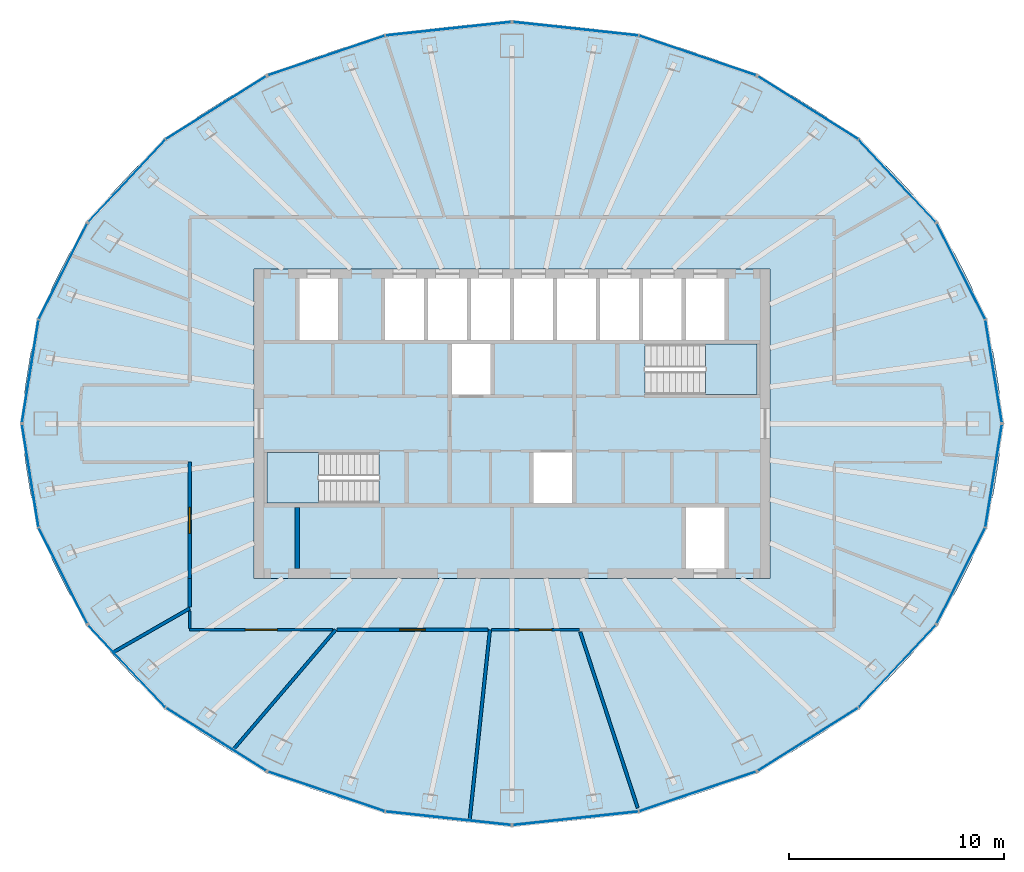
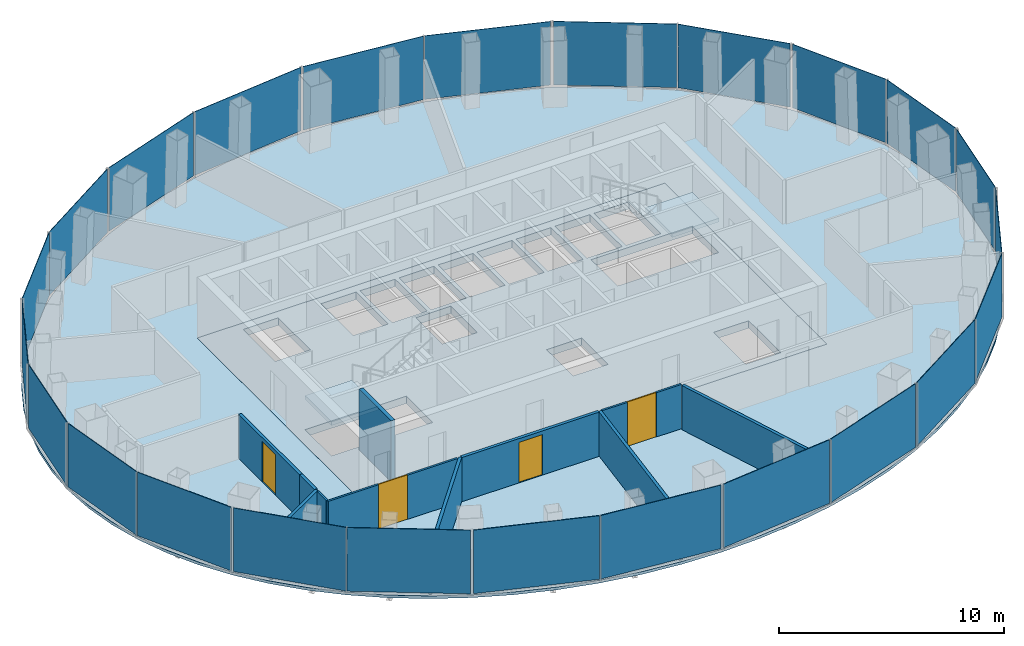
# One storey, part 7 of 11: 24 plates, 11 walls, 4 doors, 4 slabs, 4 openings, 14 elements without a shape of their own.
"""IFC4 building model written with IfcOpenShell, lengths in metres."""

from ifc_helpers import new_model, si_unit, direction, frame, frame_2d, origin, origin_2d, place, context, subcontext, project, spatial, polyline, rectangle, outline, extrude, material, layer, layer_set, type_object, element, fill, aggregate, save


model = new_model("IFC4")

# Units and contexts
model_context = context("Model", 3, precision=1e-05, world=origin(), true_north=direction((0.0, 1.0)))
body_context = subcontext(model_context, "Body", "Model", "MODEL_VIEW")
ifc_project = project(units=[si_unit("LENGTHUNIT", "METRE"), si_unit("AREAUNIT", "SQUARE_METRE"), si_unit("VOLUMEUNIT", "CUBIC_METRE"), si_unit("PLANEANGLEUNIT", "RADIAN"), si_unit("MASSUNIT", "GRAM", prefix="KILO")], contexts=[model_context])

# Site, building, storey
site_placement = place(None, origin())
site = spatial("IfcSite", under=ifc_project, at=site_placement, CompositionType="ELEMENT")
building_placement = place(site_placement, origin())
building = spatial("IfcBuilding", under=site, at=building_placement, Name="Siaravel Broadcast Tower", CompositionType="ELEMENT")
storey_placement = place(building_placement, frame((0.0, 0.0, 194.10009765625)))
storey = spatial("IfcBuildingStorey", under=building, at=storey_placement, Name="L47", CompositionType="ELEMENT", Elevation=194.10009765625)

# Curtain wall, plates
ifc_material_1 = material(Name="Aluminium 6063-T6", Category="aluminium")
ifc_layer_1 = layer(ifc_material_1, 0.179931640625)
ifc_layer_set_1 = layer_set([ifc_layer_1], Name="Aluminium 6063-T6")
curtain_wall_type = type_object("IfcCurtainWallType", Name="Unitised curtain wall, zone 3", PredefinedType="NOTDEFINED", material=ifc_layer_set_1)
curtain_wall_1_placement = place(storey_placement, origin())
curtain_wall_1 = element("IfcCurtainWall", 1, at=curtain_wall_1_placement, inside=storey, type_object=curtain_wall_type, Name="L47 Unitised curtain wall, zone 3 01", PredefinedType="NOTDEFINED")
ifc_material_2 = material(Name="Tinted insulated glass", Category="glass")
ifc_layer_2 = layer(ifc_material_2, 0.028076171875)
ifc_layer_set_2 = layer_set([ifc_layer_2], Name="Tinted insulated glass")
plate_type = type_object("IfcPlateType", Name="CW-Z3 glass panel", PredefinedType="CURTAIN_PANEL", material=ifc_layer_set_2)
plate_1_placement = place(storey_placement, frame((22.4189453125, 2.435302734375, 0.10009765625), z_axis=(0.0, 0.0, 1.0), x_axis=(-0.158685461, 0.987329188, 0.0)))
plate_1 = element("IfcPlate", 2, at=plate_1_placement, type_object=plate_type, Name="CW-Z3 glass panel", PredefinedType="CURTAIN_PANEL", context=body_context, shape_type="SweptSolid", body=[
    extrude(rectangle(XDim=4.81298828125, YDim=0.028076171875, at=origin_2d()), origin(), (0.0, 0.0, 1.0), 3.449951171875),
])
plate_2_placement = place(storey_placement, frame((20.898681640625, 7.082275390625, 0.10009765625), z_axis=(0.0, 0.0, 1.0), x_axis=(-0.45126085, 0.892392092, 0.0)))
plate_2 = element("IfcPlate", 3, at=plate_2_placement, type_object=plate_type, Name="CW-Z3 glass panel", PredefinedType="CURTAIN_PANEL", context=body_context, shape_type="SweptSolid", body=[
    extrude(rectangle(XDim=4.96337890625, YDim=0.028076171875, at=origin_2d()), origin(), (0.0, 0.0, 1.0), 3.449951171875),
])
aggregate(curtain_wall_1, [plate_1, plate_2])

curtain_wall_2_placement = place(storey_placement, origin())
curtain_wall_2 = element("IfcCurtainWall", 4, at=curtain_wall_2_placement, inside=storey, type_object=curtain_wall_type, Name="L47 Unitised curtain wall, zone 3 02", PredefinedType="NOTDEFINED")
plate_3_placement = place(storey_placement, frame((17.928466796875, 11.296875, 0.10009765625), z_axis=(0.0, 0.0, 1.0), x_axis=(-0.6836552, 0.729805157, 0.0)))
plate_3 = element("IfcPlate", 5, at=plate_3_placement, type_object=plate_type, Name="CW-Z3 glass panel", PredefinedType="CURTAIN_PANEL", context=body_context, shape_type="SweptSolid", body=[
    extrude(rectangle(XDim=5.214111328125, YDim=0.028076171875, at=origin_2d()), origin(), (0.0, 0.0, 1.0), 3.449951171875),
])
plate_4_placement = place(storey_placement, frame((13.7763671875, 14.697998046875, 0.10009765625), z_axis=(0.0, 0.0, 1.0), x_axis=(-0.846650687, 0.532149052, 0.0)))
plate_4 = element("IfcPlate", 6, at=plate_4_placement, type_object=plate_type, Name="CW-Z3 glass panel", PredefinedType="CURTAIN_PANEL", context=body_context, shape_type="SweptSolid", body=[
    extrude(rectangle(XDim=5.48974609375, YDim=0.028076171875, at=origin_2d()), origin(), (0.0, 0.0, 1.0), 3.449951171875),
])
aggregate(curtain_wall_2, [plate_3, plate_4])

curtain_wall_3_placement = place(storey_placement, origin())
curtain_wall_3 = element("IfcCurtainWall", 7, at=curtain_wall_3_placement, inside=storey, type_object=curtain_wall_type, Name="L47 Unitised curtain wall, zone 3 03", PredefinedType="NOTDEFINED")
plate_5_placement = place(storey_placement, frame((8.63720703125, 17.128662109375, 0.10009765625), z_axis=(0.0, 0.0, 1.0), x_axis=(-0.946977305, 0.321300458, 0.0)))
plate_5 = element("IfcPlate", 8, at=plate_5_placement, type_object=plate_type, Name="CW-Z3 glass panel", PredefinedType="CURTAIN_PANEL", context=body_context, shape_type="SweptSolid", body=[
    extrude(rectangle(XDim=5.718017578125, YDim=0.028076171875, at=origin_2d()), origin(), (0.0, 0.0, 1.0), 3.449951171875),
])
plate_6_placement = place(storey_placement, frame((2.9658203125, 18.373291015625, 0.10009765625), z_axis=(0.0, 0.0, 1.0), x_axis=(-0.994235598, 0.107217422, 0.0)))
plate_6 = element("IfcPlate", 9, at=plate_6_placement, type_object=plate_type, Name="CW-Z3 glass panel", PredefinedType="CURTAIN_PANEL", context=body_context, shape_type="SweptSolid", body=[
    extrude(rectangle(XDim=5.845703125, YDim=0.028076171875, at=origin_2d()), origin(), (0.0, 0.0, 1.0), 3.449951171875),
])
aggregate(curtain_wall_3, [plate_5, plate_6])

curtain_wall_4_placement = place(storey_placement, origin())
curtain_wall_4 = element("IfcCurtainWall", 10, at=curtain_wall_4_placement, inside=storey, type_object=curtain_wall_type, Name="L47 Unitised curtain wall, zone 3 04", PredefinedType="NOTDEFINED")
plate_7_placement = place(storey_placement, frame((-2.9658203125, 18.373291015625, 0.10009765625), z_axis=(0.0, 0.0, 1.0), x_axis=(-0.994235598, -0.107217422, 0.0)))
plate_7 = element("IfcPlate", 11, at=plate_7_placement, type_object=plate_type, Name="CW-Z3 glass panel", PredefinedType="CURTAIN_PANEL", context=body_context, shape_type="SweptSolid", body=[
    extrude(rectangle(XDim=5.845703125, YDim=0.028076171875, at=origin_2d()), origin(), (0.0, 0.0, 1.0), 3.449951171875),
])
plate_8_placement = place(storey_placement, frame((-8.63720703125, 17.128662109375, 0.10009765625), z_axis=(0.0, 0.0, 1.0), x_axis=(-0.946977305, -0.321300458, 0.0)))
plate_8 = element("IfcPlate", 12, at=plate_8_placement, type_object=plate_type, Name="CW-Z3 glass panel", PredefinedType="CURTAIN_PANEL", context=body_context, shape_type="SweptSolid", body=[
    extrude(rectangle(XDim=5.718017578125, YDim=0.028076171875, at=origin_2d()), origin(), (0.0, 0.0, 1.0), 3.449951171875),
])
aggregate(curtain_wall_4, [plate_7, plate_8])

curtain_wall_5_placement = place(storey_placement, origin())
curtain_wall_5 = element("IfcCurtainWall", 13, at=curtain_wall_5_placement, inside=storey, type_object=curtain_wall_type, Name="L47 Unitised curtain wall, zone 3 05", PredefinedType="NOTDEFINED")
plate_9_placement = place(storey_placement, frame((-13.7763671875, 14.697998046875, 0.10009765625), z_axis=(0.0, 0.0, 1.0), x_axis=(-0.846650687, -0.532149052, 0.0)))
plate_9 = element("IfcPlate", 14, at=plate_9_placement, type_object=plate_type, Name="CW-Z3 glass panel", PredefinedType="CURTAIN_PANEL", context=body_context, shape_type="SweptSolid", body=[
    extrude(rectangle(XDim=5.48974609375, YDim=0.028076171875, at=origin_2d()), origin(), (0.0, 0.0, 1.0), 3.449951171875),
])
plate_10_placement = place(storey_placement, frame((-17.928466796875, 11.296875, 0.10009765625), z_axis=(0.0, 0.0, 1.0), x_axis=(-0.6836552, -0.729805157, 0.0)))
plate_10 = element("IfcPlate", 15, at=plate_10_placement, type_object=plate_type, Name="CW-Z3 glass panel", PredefinedType="CURTAIN_PANEL", context=body_context, shape_type="SweptSolid", body=[
    extrude(rectangle(XDim=5.214111328125, YDim=0.028076171875, at=origin_2d()), origin(), (0.0, 0.0, 1.0), 3.449951171875),
])
aggregate(curtain_wall_5, [plate_9, plate_10])

curtain_wall_6_placement = place(storey_placement, origin())
curtain_wall_6 = element("IfcCurtainWall", 16, at=curtain_wall_6_placement, inside=storey, type_object=curtain_wall_type, Name="L47 Unitised curtain wall, zone 3 06", PredefinedType="NOTDEFINED")
plate_11_placement = place(storey_placement, frame((-20.898681640625, 7.082275390625, 0.10009765625), z_axis=(0.0, 0.0, 1.0), x_axis=(-0.45126085, -0.892392092, 0.0)))
plate_11 = element("IfcPlate", 17, at=plate_11_placement, type_object=plate_type, Name="CW-Z3 glass panel", PredefinedType="CURTAIN_PANEL", context=body_context, shape_type="SweptSolid", body=[
    extrude(rectangle(XDim=4.96337890625, YDim=0.028076171875, at=origin_2d()), origin(), (0.0, 0.0, 1.0), 3.449951171875),
])
plate_12_placement = place(storey_placement, frame((-22.4189453125, 2.435302734375, 0.10009765625), z_axis=(0.0, 0.0, 1.0), x_axis=(-0.158685461, -0.987329188, 0.0)))
plate_12 = element("IfcPlate", 18, at=plate_12_placement, type_object=plate_type, Name="CW-Z3 glass panel", PredefinedType="CURTAIN_PANEL", context=body_context, shape_type="SweptSolid", body=[
    extrude(rectangle(XDim=4.81298828125, YDim=0.028076171875, at=origin_2d()), origin(), (0.0, 0.0, 1.0), 3.449951171875),
])
aggregate(curtain_wall_6, [plate_11, plate_12])

curtain_wall_7_placement = place(storey_placement, origin())
curtain_wall_7 = element("IfcCurtainWall", 19, at=curtain_wall_7_placement, inside=storey, type_object=curtain_wall_type, Name="L47 Unitised curtain wall, zone 3 07", PredefinedType="NOTDEFINED")
plate_13_placement = place(storey_placement, frame((-22.4189453125, -2.435302734375, 0.10009765625), z_axis=(0.0, 0.0, 1.0), x_axis=(0.158685461, -0.987329188, 0.0)))
plate_13 = element("IfcPlate", 20, at=plate_13_placement, type_object=plate_type, Name="CW-Z3 glass panel", PredefinedType="CURTAIN_PANEL", context=body_context, shape_type="SweptSolid", body=[
    extrude(rectangle(XDim=4.81298828125, YDim=0.028076171875, at=origin_2d()), origin(), (0.0, 0.0, 1.0), 3.449951171875),
])
plate_14_placement = place(storey_placement, frame((-20.898681640625, -7.082275390625, 0.10009765625), z_axis=(0.0, 0.0, 1.0), x_axis=(0.45126085, -0.892392092, 0.0)))
plate_14 = element("IfcPlate", 21, at=plate_14_placement, type_object=plate_type, Name="CW-Z3 glass panel", PredefinedType="CURTAIN_PANEL", context=body_context, shape_type="SweptSolid", body=[
    extrude(rectangle(XDim=4.96337890625, YDim=0.028076171875, at=origin_2d()), origin(), (0.0, 0.0, 1.0), 3.449951171875),
])
aggregate(curtain_wall_7, [plate_13, plate_14])

curtain_wall_8_placement = place(storey_placement, origin())
curtain_wall_8 = element("IfcCurtainWall", 22, at=curtain_wall_8_placement, inside=storey, type_object=curtain_wall_type, Name="L47 Unitised curtain wall, zone 3 08", PredefinedType="NOTDEFINED")
plate_15_placement = place(storey_placement, frame((-17.928466796875, -11.296875, 0.10009765625), z_axis=(0.0, 0.0, 1.0), x_axis=(0.6836552, -0.729805157, 0.0)))
plate_15 = element("IfcPlate", 23, at=plate_15_placement, type_object=plate_type, Name="CW-Z3 glass panel", PredefinedType="CURTAIN_PANEL", context=body_context, shape_type="SweptSolid", body=[
    extrude(rectangle(XDim=5.214111328125, YDim=0.028076171875, at=origin_2d()), origin(), (0.0, 0.0, 1.0), 3.449951171875),
])
plate_16_placement = place(storey_placement, frame((-13.7763671875, -14.697998046875, 0.10009765625), z_axis=(0.0, 0.0, 1.0), x_axis=(0.846650687, -0.532149052, 0.0)))
plate_16 = element("IfcPlate", 24, at=plate_16_placement, type_object=plate_type, Name="CW-Z3 glass panel", PredefinedType="CURTAIN_PANEL", context=body_context, shape_type="SweptSolid", body=[
    extrude(rectangle(XDim=5.48974609375, YDim=0.028076171875, at=origin_2d()), origin(), (0.0, 0.0, 1.0), 3.449951171875),
])
aggregate(curtain_wall_8, [plate_15, plate_16])

curtain_wall_9_placement = place(storey_placement, origin())
curtain_wall_9 = element("IfcCurtainWall", 25, at=curtain_wall_9_placement, inside=storey, type_object=curtain_wall_type, Name="L47 Unitised curtain wall, zone 3 09", PredefinedType="NOTDEFINED")
plate_17_placement = place(storey_placement, frame((-8.63720703125, -17.128662109375, 0.10009765625), z_axis=(0.0, 0.0, 1.0), x_axis=(0.946977305, -0.321300458, 0.0)))
plate_17 = element("IfcPlate", 26, at=plate_17_placement, type_object=plate_type, Name="CW-Z3 glass panel", PredefinedType="CURTAIN_PANEL", context=body_context, shape_type="SweptSolid", body=[
    extrude(rectangle(XDim=5.718017578125, YDim=0.028076171875, at=origin_2d()), origin(), (0.0, 0.0, 1.0), 3.449951171875),
])
plate_18_placement = place(storey_placement, frame((-2.9658203125, -18.373291015625, 0.10009765625), z_axis=(0.0, 0.0, 1.0), x_axis=(0.994235598, -0.107217422, 0.0)))
plate_18 = element("IfcPlate", 27, at=plate_18_placement, type_object=plate_type, Name="CW-Z3 glass panel", PredefinedType="CURTAIN_PANEL", context=body_context, shape_type="SweptSolid", body=[
    extrude(rectangle(XDim=5.845703125, YDim=0.028076171875, at=origin_2d()), origin(), (0.0, 0.0, 1.0), 3.449951171875),
])
aggregate(curtain_wall_9, [plate_17, plate_18])

curtain_wall_10_placement = place(storey_placement, origin())
curtain_wall_10 = element("IfcCurtainWall", 28, at=curtain_wall_10_placement, inside=storey, type_object=curtain_wall_type, Name="L47 Unitised curtain wall, zone 3 10", PredefinedType="NOTDEFINED")
plate_19_placement = place(storey_placement, frame((2.9658203125, -18.373291015625, 0.10009765625), z_axis=(0.0, 0.0, 1.0), x_axis=(0.994235598, 0.107217422, 0.0)))
plate_19 = element("IfcPlate", 29, at=plate_19_placement, type_object=plate_type, Name="CW-Z3 glass panel", PredefinedType="CURTAIN_PANEL", context=body_context, shape_type="SweptSolid", body=[
    extrude(rectangle(XDim=5.845703125, YDim=0.028076171875, at=origin_2d()), origin(), (0.0, 0.0, 1.0), 3.449951171875),
])
plate_20_placement = place(storey_placement, frame((8.63720703125, -17.128662109375, 0.10009765625), z_axis=(0.0, 0.0, 1.0), x_axis=(0.946977305, 0.321300458, 0.0)))
plate_20 = element("IfcPlate", 30, at=plate_20_placement, type_object=plate_type, Name="CW-Z3 glass panel", PredefinedType="CURTAIN_PANEL", context=body_context, shape_type="SweptSolid", body=[
    extrude(rectangle(XDim=5.718017578125, YDim=0.028076171875, at=origin_2d()), origin(), (0.0, 0.0, 1.0), 3.449951171875),
])
aggregate(curtain_wall_10, [plate_19, plate_20])

curtain_wall_11_placement = place(storey_placement, origin())
curtain_wall_11 = element("IfcCurtainWall", 31, at=curtain_wall_11_placement, inside=storey, type_object=curtain_wall_type, Name="L47 Unitised curtain wall, zone 3 11", PredefinedType="NOTDEFINED")
plate_21_placement = place(storey_placement, frame((13.7763671875, -14.697998046875, 0.10009765625), z_axis=(0.0, 0.0, 1.0), x_axis=(0.846650687, 0.532149052, 0.0)))
plate_21 = element("IfcPlate", 32, at=plate_21_placement, type_object=plate_type, Name="CW-Z3 glass panel", PredefinedType="CURTAIN_PANEL", context=body_context, shape_type="SweptSolid", body=[
    extrude(rectangle(XDim=5.48974609375, YDim=0.028076171875, at=origin_2d()), origin(), (0.0, 0.0, 1.0), 3.449951171875),
])
plate_22_placement = place(storey_placement, frame((17.928466796875, -11.296875, 0.10009765625), z_axis=(0.0, 0.0, 1.0), x_axis=(0.6836552, 0.729805157, 0.0)))
plate_22 = element("IfcPlate", 33, at=plate_22_placement, type_object=plate_type, Name="CW-Z3 glass panel", PredefinedType="CURTAIN_PANEL", context=body_context, shape_type="SweptSolid", body=[
    extrude(rectangle(XDim=5.214111328125, YDim=0.028076171875, at=origin_2d()), origin(), (0.0, 0.0, 1.0), 3.449951171875),
])
aggregate(curtain_wall_11, [plate_21, plate_22])

curtain_wall_12_placement = place(storey_placement, origin())
curtain_wall_12 = element("IfcCurtainWall", 34, at=curtain_wall_12_placement, inside=storey, type_object=curtain_wall_type, Name="L47 Unitised curtain wall, zone 3 12", PredefinedType="NOTDEFINED")
plate_23_placement = place(storey_placement, frame((20.898681640625, -7.082275390625, 0.10009765625), z_axis=(0.0, 0.0, 1.0), x_axis=(0.45126085, 0.892392092, 0.0)))
plate_23 = element("IfcPlate", 35, at=plate_23_placement, type_object=plate_type, Name="CW-Z3 glass panel", PredefinedType="CURTAIN_PANEL", context=body_context, shape_type="SweptSolid", body=[
    extrude(rectangle(XDim=4.96337890625, YDim=0.028076171875, at=origin_2d()), origin(), (0.0, 0.0, 1.0), 3.449951171875),
])
plate_24_placement = place(storey_placement, frame((22.4189453125, -2.435302734375, 0.10009765625), z_axis=(0.0, 0.0, 1.0), x_axis=(0.158685461, 0.987329188, 0.0)))
plate_24 = element("IfcPlate", 36, at=plate_24_placement, type_object=plate_type, Name="CW-Z3 glass panel", PredefinedType="CURTAIN_PANEL", context=body_context, shape_type="SweptSolid", body=[
    extrude(rectangle(XDim=4.81298828125, YDim=0.028076171875, at=origin_2d()), origin(), (0.0, 0.0, 1.0), 3.449951171875),
])
aggregate(curtain_wall_12, [plate_23, plate_24])

# Slabs
ifc_material_3 = material(Name="Concrete C40/50", Category="concrete")
ifc_layer_3 = layer(ifc_material_3, 0.39990234375)
ifc_layer_set_3 = layer_set([ifc_layer_3], Name="Concrete C40/50")
slab_type_1 = type_object("IfcSlabType", Name="Core floor slab 400", PredefinedType="FLOOR", material=ifc_layer_set_3)
slab_1_placement = place(storey_placement, frame((0.0, 0.0, -0.400146484375)))
element("IfcSlab", 37, at=slab_1_placement, inside=storey, type_object=slab_type_1, Name="L47 core floor", PredefinedType="FLOOR", context=body_context, shape_type="SweptSolid", body=[
    extrude(outline(polyline([(-12.0, -7.199951171875), (-12.0, 7.199951171875), (12.0, 7.199951171875), (12.0, -7.199951171875), (-12.0, -7.199951171875)]), holes=[polyline([(11.3994140625, 1.3505859375), (11.3994140625, 3.699462890625), (6.200439453125, 3.699462890625), (6.200439453125, 1.3505859375), (11.3994140625, 1.3505859375)]), polyline([(8.10009765625, -3.89990234375), (8.10009765625, -6.75), (9.89990234375, -6.75), (9.89990234375, -3.89990234375), (8.10009765625, -3.89990234375)]), polyline([(9.89990234375, 6.75), (8.10009765625, 6.75), (8.10009765625, 3.89990234375), (9.89990234375, 3.89990234375), (9.89990234375, 6.75)]), polyline([(7.89990234375, 6.75), (6.10009765625, 6.75), (6.10009765625, 3.89990234375), (7.89990234375, 3.89990234375), (7.89990234375, 6.75)]), polyline([(5.89990234375, 6.75), (4.10009765625, 6.75), (4.10009765625, 3.89990234375), (5.89990234375, 3.89990234375), (5.89990234375, 6.75)]), polyline([(3.89990234375, 6.75), (2.10009765625, 6.75), (2.10009765625, 3.89990234375), (3.89990234375, 3.89990234375), (3.89990234375, 6.75)]), polyline([(2.800048828125, -1.35009765625), (1.0, -1.35009765625), (1.0, -3.699951171875), (2.800048828125, -3.699951171875), (2.800048828125, -1.35009765625)]), polyline([(1.89990234375, 6.75), (0.10009765625, 6.75), (0.10009765625, 3.89990234375), (1.89990234375, 3.89990234375), (1.89990234375, 6.75)]), polyline([(-0.10009765625, 6.75), (-1.89990234375, 6.75), (-1.89990234375, 3.89990234375), (-0.10009765625, 3.89990234375), (-0.10009765625, 6.75)]), polyline([(-1.0, 3.699951171875), (-2.800048828125, 3.699951171875), (-2.800048828125, 1.35009765625), (-1.0, 1.35009765625), (-1.0, 3.699951171875)]), polyline([(-2.10009765625, 6.75), (-3.89990234375, 6.75), (-3.89990234375, 3.89990234375), (-2.10009765625, 3.89990234375), (-2.10009765625, 6.75)]), polyline([(-4.10009765625, 6.75), (-5.89990234375, 6.75), (-5.89990234375, 3.89990234375), (-4.10009765625, 3.89990234375), (-4.10009765625, 6.75)]), polyline([(-11.3994140625, -3.699462890625), (-6.200439453125, -3.699462890625), (-6.200439453125, -1.3505859375), (-11.3994140625, -1.3505859375), (-11.3994140625, -3.699462890625)]), polyline([(-8.10009765625, 6.75), (-9.89990234375, 6.75), (-9.89990234375, 3.89990234375), (-8.10009765625, 3.89990234375), (-8.10009765625, 6.75)])]), origin(), (0.0, 0.0, 1.0), 0.400146484375),
])
ifc_layer_4 = layer(ifc_material_3, 0.14990234375)
ifc_layer_set_4 = layer_set([ifc_layer_4], Name="Concrete C40/50")
slab_type_2 = type_object("IfcSlabType", Name="SLB-FLOOR-150", PredefinedType="FLOOR", material=ifc_layer_set_4)
slab_2_placement = place(storey_placement, frame((0.0, 0.0, -0.150146484375)))
element("IfcSlab", 38, at=slab_2_placement, inside=storey, type_object=slab_type_2, Name="Floor slab", PredefinedType="FLOOR", context=body_context, shape_type="SweptSolid", body=[
    extrude(outline(polyline([(22.76025390625, 0.0), (22.673583984375, 1.625), (22.41455078125, 3.2373046875), (21.98486328125, 4.8251953125), (21.3876953125, 6.376220703125), (20.627685546875, 7.87890625), (19.7109375, 9.321533203125), (18.64404296875, 10.693359375), (17.435302734375, 11.983642578125), (16.093994140625, 13.1826171875), (14.6298828125, 14.281494140625), (13.0546875, 15.271484375), (11.380126953125, 16.1455078125), (9.618896484375, 16.896484375), (7.784423828125, 17.518798828125), (5.890869140625, 18.0078125), (3.952392578125, 18.360107421875), (1.983642578125, 18.572265625), (0.0, 18.643310546875), (-1.983642578125, 18.572265625), (-3.952392578125, 18.360107421875), (-5.890869140625, 18.0078125), (-7.784423828125, 17.518798828125), (-9.618896484375, 16.896484375), (-11.380126953125, 16.1455078125), (-13.0546875, 15.271484375), (-14.6298828125, 14.281494140625), (-16.093994140625, 13.1826171875), (-17.435302734375, 11.983642578125), (-18.64404296875, 10.693359375), (-19.7109375, 9.321533203125), (-20.627685546875, 7.87890625), (-21.3876953125, 6.376220703125), (-21.98486328125, 4.8251953125), (-22.41455078125, 3.2373046875), (-22.673583984375, 1.625), (-22.76025390625, 0.0), (-22.673583984375, -1.625), (-22.41455078125, -3.2373046875), (-21.98486328125, -4.8251953125), (-21.3876953125, -6.376220703125), (-20.627685546875, -7.87890625), (-19.7109375, -9.321533203125), (-18.64404296875, -10.693359375), (-17.435302734375, -11.983642578125), (-16.093994140625, -13.1826171875), (-14.6298828125, -14.281494140625), (-13.0546875, -15.271484375), (-11.380126953125, -16.1455078125), (-9.618896484375, -16.896484375), (-7.784423828125, -17.518798828125), (-5.890869140625, -18.0078125), (-3.952392578125, -18.360107421875), (-1.983642578125, -18.572265625), (0.0, -18.643310546875), (1.983642578125, -18.572265625), (3.952392578125, -18.360107421875), (5.890869140625, -18.0078125), (7.784423828125, -17.518798828125), (9.618896484375, -16.896484375), (11.380126953125, -16.1455078125), (13.0546875, -15.271484375), (14.6298828125, -14.281494140625), (16.093994140625, -13.1826171875), (17.435302734375, -11.983642578125), (18.64404296875, -10.693359375), (19.7109375, -9.321533203125), (20.627685546875, -7.87890625), (21.3876953125, -6.376220703125), (21.98486328125, -4.8251953125), (22.41455078125, -3.2373046875), (22.673583984375, -1.625), (22.76025390625, 0.0)]), holes=[polyline([(-12.0, 7.199951171875), (12.0, 7.199951171875), (12.0, -7.199951171875), (-12.0, -7.199951171875), (-12.0, 7.199951171875)])]), origin(), (0.0, 0.0, 1.0), 0.150146484375),
])

# Stair, slab
stair_type = type_object("IfcStairType", Name="Core exit stair", PredefinedType="HALF_TURN_STAIR", material=ifc_material_3)
stair_1_placement = place(storey_placement, origin())
stair_1 = element("IfcStair", 39, at=stair_1_placement, inside=storey, type_object=stair_type, Name="L47 Exit stair ST-1", PredefinedType="HALF_TURN_STAIR")
ifc_layer_5 = layer(ifc_material_3, 0.199951171875)
ifc_layer_set_5 = layer_set([ifc_layer_5], Name="Concrete C40/50")
slab_type_3 = type_object("IfcSlabType", Name="Stair landing", PredefinedType="LANDING", material=ifc_layer_set_5)
slab_3_placement = place(storey_placement, frame((0.0, 0.0, 1.64990234375)))
slab_3 = element("IfcSlab", 40, at=slab_3_placement, type_object=slab_type_3, Name="ST-1 landing 1", PredefinedType="LANDING", context=body_context, shape_type="SweptSolid", body=[
    extrude(outline(polyline([(-9.0, -1.35009765625), (-11.39990234375, -1.35009765625), (-11.39990234375, -3.699951171875), (-9.0, -3.699951171875), (-9.0, -1.35009765625)])), origin(), (0.0, 0.0, 1.0), 0.199951171875),
])
aggregate(stair_1, [slab_3])

stair_2_placement = place(storey_placement, origin())
stair_2 = element("IfcStair", 41, at=stair_2_placement, inside=storey, type_object=stair_type, Name="L47 Exit stair ST-2", PredefinedType="HALF_TURN_STAIR")
slab_4_placement = place(storey_placement, frame((0.0, 0.0, 1.64990234375)))
slab_4 = element("IfcSlab", 42, at=slab_4_placement, type_object=slab_type_3, Name="ST-2 landing 1", PredefinedType="LANDING", context=body_context, shape_type="SweptSolid", body=[
    extrude(outline(polyline([(9.0, 1.35009765625), (11.39990234375, 1.35009765625), (11.39990234375, 3.699951171875), (9.0, 3.699951171875), (9.0, 1.35009765625)])), origin(), (0.0, 0.0, 1.0), 0.199951171875),
])
aggregate(stair_2, [slab_4])

# Wall, opening, door
ifc_material_4 = material(Name="Gypsum board partition", Category="gypsum")
ifc_layer_6 = layer(ifc_material_4, 0.14990234375)
ifc_layer_set_6 = layer_set([ifc_layer_6], Name="Gypsum board partition")
wall_type_1 = type_object("IfcWallType", Name="Corridor wall 150", PredefinedType="PARTITIONING", material=ifc_layer_set_6)
wall_1_placement = place(storey_placement, frame((-8.1474609375, -9.60009765625, 0.0), z_axis=(0.0, 0.0, 1.0), x_axis=(1.0, 0.0, 0.0)))
wall_1 = element("IfcWall", 43, at=wall_1_placement, inside=storey, type_object=wall_type_1, Name="L47 partition 9", PredefinedType="PARTITIONING", context=body_context, shape_type="SweptSolid", body=[
    extrude(rectangle(XDim=7.03662109375, YDim=0.14990234375, at=frame_2d((3.518310546875, 0.0))), origin(), (0.0, 0.0, 1.0), 2.39990234375),
])
opening_1_placement = place(wall_1_placement, frame((2.918212890625, 0.0, 0.0)))
opening_1 = element("IfcOpeningElement", 44, at=opening_1_placement, cuts=wall_1, Name="Opening L47-001", PredefinedType="OPENING", context=body_context, shape_type="SweptSolid", body=[
    extrude(rectangle(XDim=1.199951171875, YDim=2.199951171875, at=frame_2d((0.60009765625, 1.10009765625))), frame((0.0, 0.0849609375, 0.0), z_axis=(0.0, -1.0, 0.0), x_axis=(1.0, 0.0, 0.0)), (0.0, 0.0, 1.0), 0.169921875),
])
ifc_material_5 = material(Name="Timber veneer", Category="wood")
door_type_1 = type_object("IfcDoorType", Name="Office double door 1200", OperationType="DOUBLE_DOOR_SINGLE_SWING", PredefinedType="DOOR", material=ifc_material_5)
door_1_placement = place(opening_1_placement, origin())
door_1 = element("IfcDoor", 45, at=door_1_placement, inside=storey, type_object=door_type_1, Name="L47 door to Open plan office", OperationType="DOUBLE_DOOR_SINGLE_SWING", OverallHeight=2.199951171875, OverallWidth=1.199951171875, PredefinedType="DOOR", context=body_context, shape_type="SweptSolid", body=[
    extrude(rectangle(XDim=1.199951171875, YDim=2.199951171875, at=frame_2d((0.60009765625, 1.10009765625))), frame((0.0, 0.02490234375, 0.0), z_axis=(0.0, -1.0, 0.0), x_axis=(1.0, 0.0, 0.0)), (0.0, 0.0, 1.0), 0.050048828125),
])
fill(opening_1, door_1)

wall_2_placement = place(storey_placement, frame((-15.0, -1.800048828125, 0.0), z_axis=(0.0, 0.0, 1.0), x_axis=(0.0, -1.0, 0.0)))
wall_2 = element("IfcWall", 46, at=wall_2_placement, inside=storey, type_object=wall_type_1, Name="L47 partition 15", PredefinedType="PARTITIONING", context=body_context, shape_type="SweptSolid", body=[
    extrude(rectangle(XDim=5.411865234375, YDim=0.14990234375, at=frame_2d((2.7060546875, 0.0))), origin(), (0.0, 0.0, 1.0), 2.39990234375),
])
opening_2_placement = place(wall_2_placement, frame((2.10595703125, 0.0, 0.0)))
opening_2 = element("IfcOpeningElement", 47, at=opening_2_placement, cuts=wall_2, Name="Opening L47-011", PredefinedType="OPENING", context=body_context, shape_type="SweptSolid", body=[
    extrude(rectangle(XDim=1.199951171875, YDim=2.199951171875, at=frame_2d((0.60009765625, 1.10009765625))), frame((0.0, 0.0849609375, 0.0), z_axis=(0.0, -1.0, 0.0), x_axis=(1.0, 0.0, 0.0)), (0.0, 0.0, 1.0), 0.169921875),
])
door_2_placement = place(opening_2_placement, origin())
door_2 = element("IfcDoor", 48, at=door_2_placement, inside=storey, type_object=door_type_1, Name="L47 door to Open plan office", OperationType="DOUBLE_DOOR_SINGLE_SWING", OverallHeight=2.199951171875, OverallWidth=1.199951171875, PredefinedType="DOOR", context=body_context, shape_type="SweptSolid", body=[
    extrude(rectangle(XDim=1.199951171875, YDim=2.199951171875, at=frame_2d((0.60009765625, 1.10009765625))), frame((0.0, 0.02490234375, 0.0), z_axis=(0.0, -1.0, 0.0), x_axis=(1.0, 0.0, 0.0)), (0.0, 0.0, 1.0), 0.050048828125),
])
fill(opening_2, door_2)

# Wall
wall_3_placement = place(storey_placement, frame((-15.0, -7.212890625, 0.0), z_axis=(0.0, 0.0, 1.0), x_axis=(0.0, -1.0, 0.0)))
element("IfcWall", 49, at=wall_3_placement, inside=storey, type_object=wall_type_1, Name="L47 partition 33", PredefinedType="PARTITIONING", context=body_context, shape_type="SweptSolid", body=[
    extrude(rectangle(XDim=1.3232421875, YDim=0.14990234375, at=frame_2d((0.66162109375, 0.0))), origin(), (0.0, 0.0, 1.0), 2.39990234375),
])

# Wall, opening, door
ifc_material_6 = material(Name="Glazed aluminium partition", Category="aluminium")
ifc_layer_7 = layer(ifc_material_6, 0.10009765625)
ifc_layer_set_7 = layer_set([ifc_layer_7], Name="Glazed aluminium partition")
wall_type_2 = type_object("IfcWallType", Name="Glazed meeting room partition 100", PredefinedType="PARTITIONING", material=ifc_layer_set_7)
wall_4_placement = place(storey_placement, frame((-15.0, -9.60009765625, 0.0), z_axis=(0.0, 0.0, 1.0), x_axis=(1.0, 0.0, 0.0)))
wall_4 = element("IfcWall", 50, at=wall_4_placement, inside=storey, type_object=wall_type_2, Name="L47 partition 10", PredefinedType="PARTITIONING", context=body_context, shape_type="SweptSolid", body=[
    extrude(rectangle(XDim=6.650146484375, YDim=0.10009765625, at=frame_2d((3.3251953125, 0.0))), origin(), (0.0, 0.0, 1.0), 2.39990234375),
])
opening_3_placement = place(wall_4_placement, frame((2.5751953125, 0.0, 0.0)))
opening_3 = element("IfcOpeningElement", 51, at=opening_3_placement, cuts=wall_4, Name="Opening L47-012", PredefinedType="OPENING", context=body_context, shape_type="SweptSolid", body=[
    extrude(rectangle(XDim=1.5, YDim=2.39990234375, at=frame_2d((0.75, 1.199951171875))), frame((0.0, 0.06005859375, 0.0), z_axis=(0.0, -1.0, 0.0), x_axis=(1.0, 0.0, 0.0)), (0.0, 0.0, 1.0), 0.1201171875),
])
door_type_2 = type_object("IfcDoorType", Name="Conference double door 1500", OperationType="DOUBLE_DOOR_SINGLE_SWING", PredefinedType="DOOR", material=ifc_material_5)
door_3_placement = place(opening_3_placement, origin())
door_3 = element("IfcDoor", 52, at=door_3_placement, inside=storey, type_object=door_type_2, Name="L47 door to Boardroom", OperationType="DOUBLE_DOOR_SINGLE_SWING", OverallHeight=2.39990234375, OverallWidth=1.5, PredefinedType="DOOR", context=body_context, shape_type="SweptSolid", body=[
    extrude(rectangle(XDim=1.5, YDim=2.39990234375, at=frame_2d((0.75, 1.199951171875))), frame((0.0, 0.02490234375, 0.0), z_axis=(0.0, -1.0, 0.0), x_axis=(1.0, 0.0, 0.0)), (0.0, 0.0, 1.0), 0.050048828125),
])
fill(opening_3, door_3)

wall_5_placement = place(storey_placement, frame((-0.94873046875, -9.60009765625, 0.0), z_axis=(0.0, 0.0, 1.0), x_axis=(1.0, 0.0, 0.0)))
wall_5 = element("IfcWall", 53, at=wall_5_placement, inside=storey, type_object=wall_type_2, Name="L47 partition 22", PredefinedType="PARTITIONING", context=body_context, shape_type="SweptSolid", body=[
    extrude(rectangle(XDim=4.088134765625, YDim=0.10009765625, at=frame_2d((2.0439453125, 0.0))), origin(), (0.0, 0.0, 1.0), 2.39990234375),
])
opening_4_placement = place(wall_5_placement, frame((1.294189453125, 0.0, 0.0)))
opening_4 = element("IfcOpeningElement", 54, at=opening_4_placement, cuts=wall_5, Name="Opening L47-002", PredefinedType="OPENING", context=body_context, shape_type="SweptSolid", body=[
    extrude(rectangle(XDim=1.5, YDim=2.39990234375, at=frame_2d((0.75, 1.199951171875))), frame((0.0, 0.06005859375, 0.0), z_axis=(0.0, -1.0, 0.0), x_axis=(1.0, 0.0, 0.0)), (0.0, 0.0, 1.0), 0.1201171875),
])
door_4_placement = place(opening_4_placement, origin())
door_4 = element("IfcDoor", 55, at=door_4_placement, inside=storey, type_object=door_type_2, Name="L47 door to Training room", OperationType="DOUBLE_DOOR_SINGLE_SWING", OverallHeight=2.39990234375, OverallWidth=1.5, PredefinedType="DOOR", context=body_context, shape_type="SweptSolid", body=[
    extrude(rectangle(XDim=1.5, YDim=2.39990234375, at=frame_2d((0.75, 1.199951171875))), frame((0.0, 0.02490234375, 0.0), z_axis=(0.0, -1.0, 0.0), x_axis=(1.0, 0.0, 0.0)), (0.0, 0.0, 1.0), 0.050048828125),
])
fill(opening_4, door_4)

# Walls
wall_6_placement = place(storey_placement, frame((-15.0, -8.720458984375, 0.0), z_axis=(0.0, 0.0, 1.0), x_axis=(0.0, -1.0, 0.0)))
element("IfcWall", 56, at=wall_6_placement, inside=storey, type_object=wall_type_2, Name="L47 partition 38", PredefinedType="PARTITIONING", context=body_context, shape_type="SweptSolid", body=[
    extrude(rectangle(XDim=0.82763671875, YDim=0.10009765625, at=frame_2d((0.413818359375, 0.0))), origin(), (0.0, 0.0, 1.0), 2.39990234375),
])
ifc_layer_8 = layer(ifc_material_4, 0.14990234375)
ifc_layer_set_8 = layer_set([ifc_layer_8], Name="Gypsum board partition")
wall_type_3 = type_object("IfcWallType", Name="Room partition 150", PredefinedType="PARTITIONING", material=ifc_layer_set_8)
wall_7_placement = place(storey_placement, frame((-1.970947265625, -18.45263671875, 0.0), z_axis=(0.0, 0.0, 1.0), x_axis=(0.106207781, 0.994343958, 0.0)))
element("IfcWall", 57, at=wall_7_placement, inside=storey, type_object=wall_type_3, Name="L47 partition 3", PredefinedType="PARTITIONING", context=body_context, shape_type="SweptSolid", body=[
    extrude(rectangle(XDim=8.90283203125, YDim=0.14990234375, at=frame_2d((4.451416015625, 0.0))), origin(), (0.0, 0.0, 1.0), 2.39990234375),
])
wall_8_placement = place(storey_placement, frame((5.853515625, -17.893798828125, 0.0), z_axis=(0.0, 0.0, 1.0), x_axis=(-0.310921391, 0.950435631, 0.0)))
element("IfcWall", 58, at=wall_8_placement, inside=storey, type_object=wall_type_3, Name="L47 partition 5", PredefinedType="PARTITIONING", context=body_context, shape_type="SweptSolid", body=[
    extrude(rectangle(XDim=8.620849609375, YDim=0.14990234375, at=frame_2d((4.310546875, 0.0))), origin(), (0.0, 0.0, 1.0), 2.39990234375),
])
wall_9_placement = place(storey_placement, frame((-8.20654296875, -9.60009765625, 0.0), z_axis=(0.0, 0.0, 1.0), x_axis=(-0.649790761, -0.760113128, 0.0)))
element("IfcWall", 59, at=wall_9_placement, inside=storey, type_object=wall_type_3, Name="L47 partition 8", PredefinedType="PARTITIONING", context=body_context, shape_type="SweptSolid", body=[
    extrude(rectangle(XDim=7.338134765625, YDim=0.14990234375, at=frame_2d((3.6689453125, 0.0))), origin(), (0.0, 0.0, 1.0), 2.39990234375),
])
wall_10_placement = place(storey_placement, frame((-18.537109375, -10.632080078125, 0.0), z_axis=(0.0, 0.0, 1.0), x_axis=(0.867438786, 0.49754392, 0.0)))
element("IfcWall", 60, at=wall_10_placement, inside=storey, type_object=wall_type_3, Name="L47 partition 23", PredefinedType="PARTITIONING", context=body_context, shape_type="SweptSolid", body=[
    extrude(rectangle(XDim=4.07763671875, YDim=0.14990234375, at=frame_2d((2.038818359375, 0.0))), origin(), (0.0, 0.0, 1.0), 2.39990234375),
])
ifc_material_7 = material(Name="Concrete C60/75", Category="concrete")
ifc_layer_9 = layer(ifc_material_7, 0.199951171875)
ifc_layer_set_9 = layer_set([ifc_layer_9], Name="Concrete C60/75")
wall_type_4 = type_object("IfcWallType", Name="Shaft wall 200", PredefinedType="SHEAR", material=ifc_layer_set_9)
wall_11_placement = place(storey_placement, frame((-10.0, -6.75, 0.0), z_axis=(0.0, 0.0, 1.0), x_axis=(0.0, 1.0, 0.0)))
element("IfcWall", 61, at=wall_11_placement, inside=storey, type_object=wall_type_4, Name="L47 core wall SWS0", PredefinedType="SHEAR", context=body_context, shape_type="SweptSolid", body=[
    extrude(rectangle(XDim=2.85009765625, YDim=0.199951171875, at=frame_2d((1.425048828125, 0.0))), origin(), (0.0, 0.0, 1.0), 3.2998046875),
])

save(model, "model.ifc")
